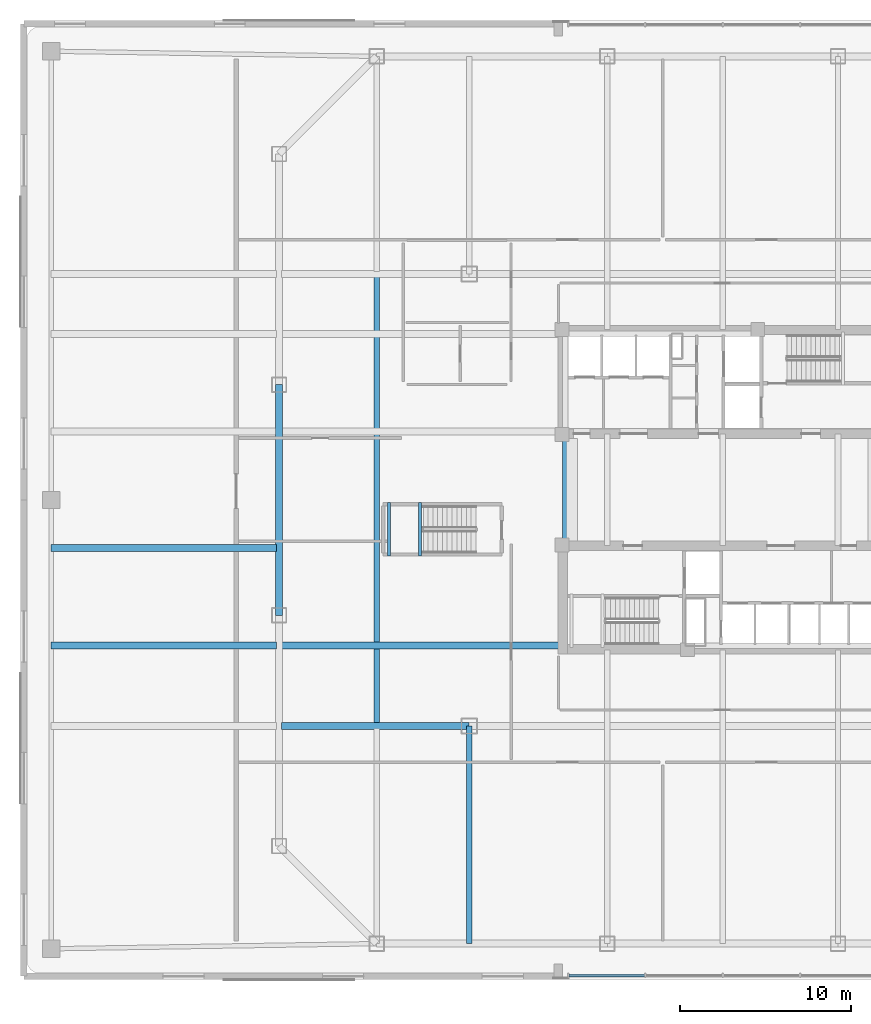
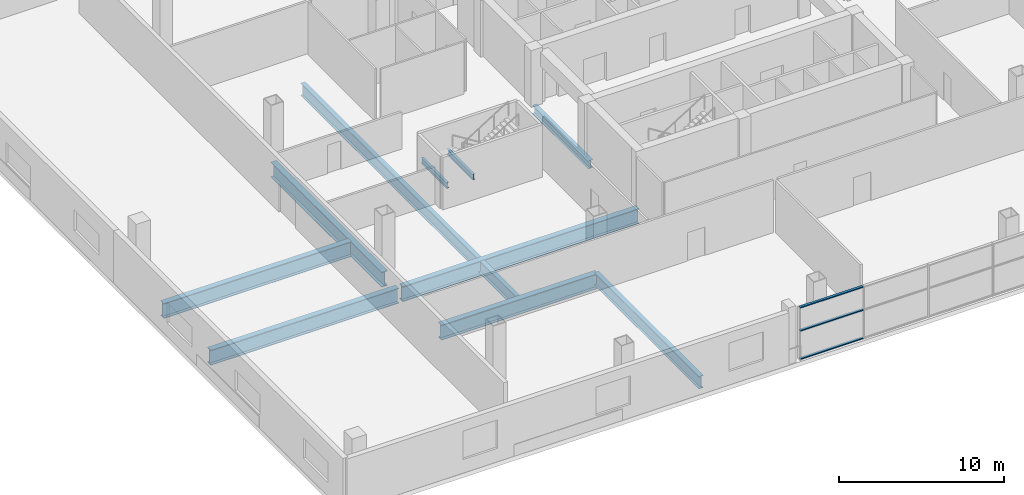
# One storey, part 3 of 21: 10 beams, 3 members, 1 element without a shape of its own.
"""IFC4 building model written with IfcOpenShell, lengths in metres."""

from ifc_helpers import new_model, si_unit, direction, frame, origin, origin_2d, place, context, subcontext, project, spatial, hollow_rectangle, i_section, extrude, material, layer, layer_set, material_profile, profile_set, type_object, element, aggregate, save


model = new_model("IFC4")

# Units and contexts
model_context = context("Model", 3, precision=1e-05, world=origin(), true_north=direction((0.0, 1.0)))
body_context = subcontext(model_context, "Body", "Model", "MODEL_VIEW")
ifc_project = project(units=[si_unit("LENGTHUNIT", "METRE"), si_unit("AREAUNIT", "SQUARE_METRE"), si_unit("VOLUMEUNIT", "CUBIC_METRE"), si_unit("PLANEANGLEUNIT", "RADIAN"), si_unit("MASSUNIT", "GRAM", prefix="KILO")], contexts=[model_context])

# Site, building, storey
site_placement = place(None, origin())
site = spatial("IfcSite", under=ifc_project, at=site_placement, CompositionType="ELEMENT")
building_placement = place(site_placement, origin())
building = spatial("IfcBuilding", under=site, at=building_placement, Name="Qhalaya Broadcast Tower", CompositionType="ELEMENT")
storey_placement = place(building_placement, frame((0.0, 0.0, 5.10009765625)))
storey = spatial("IfcBuildingStorey", under=building, at=storey_placement, Name="L01", CompositionType="ELEMENT", Elevation=5.10009765625)

# Beams
ifc_material_1 = material(Name="Structural Steel ASTM A992 Grade 50", Category="steel")
ifc_material_profile_1 = material_profile(ifc_material_1, i_section(OverallWidth=0.323974609375, OverallDepth=0.612060546875, WebThickness=0.0126953125, FlangeThickness=0.01904296875, at=origin_2d()), Name="W24X104")
ifc_profile_set_1 = profile_set([ifc_material_profile_1], Name="Structural Steel ASTM A992 Grade 50")
beam_type_1 = type_object("IfcBeamType", Name="Core Frame Tie Beam B04", PredefinedType="BEAM", material=ifc_profile_set_1)
beam_1_placement = place(storey_placement, frame((-9.199951171875, -2.800048828125, -0.6259765625), z_axis=(0.0, 1.0, 0.0), x_axis=(-1.0, 0.0, 0.0)))
element("IfcBeam", 1, at=beam_1_placement, inside=storey, type_object=beam_type_1, Name="L01 B04 L01-CCW", PredefinedType="BEAM", context=body_context, shape_type="SweptSolid", body=[
    extrude(i_section(OverallWidth=0.323974609375, OverallDepth=0.612060546875, WebThickness=0.0126953125, FlangeThickness=0.01904296875, at=origin_2d()), origin(), (0.0, 0.0, 1.0), 6.800048828125),
])
ifc_material_profile_2 = material_profile(ifc_material_1, i_section(OverallWidth=0.306884765625, OverallDepth=0.927001953125, WebThickness=0.019287109375, FlangeThickness=0.031982421875, at=origin_2d()), Name="W36X194")
ifc_profile_set_2 = profile_set([ifc_material_profile_2], Name="Structural Steel ASTM A992 Grade 50")
beam_type_2 = type_object("IfcBeamType", Name="Heavy Studio Floor Beam B01", PredefinedType="BEAM", material=ifc_profile_set_2)
beam_2_placement = place(storey_placement, frame((-20.199951171875, -13.06005859375, -0.78369140625), z_axis=(0.0, 1.0, 0.0), x_axis=(-1.0, 0.0, 0.0)))
element("IfcBeam", 2, at=beam_2_placement, inside=storey, type_object=beam_type_2, Name="L01 B01 L01-JS-M-20.2", PredefinedType="BEAM", context=body_context, shape_type="SweptSolid", body=[
    extrude(i_section(OverallWidth=0.306884765625, OverallDepth=0.927001953125, WebThickness=0.019287109375, FlangeThickness=0.031982421875, at=origin_2d()), origin(), (0.0, 0.0, 1.0), 26.1201171875),
])
beam_3_placement = place(storey_placement, frame((-14.800048828125, -25.89990234375, -0.78369140625), z_axis=(0.0, 1.0, 0.0), x_axis=(-1.0, 0.0, 0.0)))
element("IfcBeam", 3, at=beam_3_placement, inside=storey, type_object=beam_type_2, Name="L01 B01 L01-JS-S-14.8", PredefinedType="BEAM", context=body_context, shape_type="SweptSolid", body=[
    extrude(i_section(OverallWidth=0.306884765625, OverallDepth=0.927001953125, WebThickness=0.019287109375, FlangeThickness=0.031982421875, at=origin_2d()), origin(), (0.0, 0.0, 1.0), 12.699951171875),
])
ifc_material_profile_3 = material_profile(ifc_material_1, i_section(OverallWidth=0.404052734375, OverallDepth=1.117919921875, WebThickness=0.026123046875, FlangeThickness=0.044921875, at=origin_2d()), Name="W44X335")
ifc_profile_set_3 = profile_set([ifc_material_profile_3], Name="Structural Steel ASTM A992 Grade 50")
beam_type_3 = type_object("IfcBeamType", Name="Podium Long-Span Primary Girder PG1", PredefinedType="USERDEFINED", material=ifc_profile_set_3)
beam_4_placement = place(storey_placement, frame((-25.89990234375, 6.7333984375, -0.879150390625), z_axis=(0.0, -1.0, 0.0), x_axis=(1.0, 0.0, 0.0)))
element("IfcBeam", 4, at=beam_4_placement, inside=storey, type_object=beam_type_3, Name="L01 PG1 L01-PG-R14", ObjectType="GIRDER", PredefinedType="USERDEFINED", context=body_context, shape_type="SweptSolid", body=[
    extrude(i_section(OverallWidth=0.404052734375, OverallDepth=1.117919921875, WebThickness=0.026123046875, FlangeThickness=0.044921875, at=origin_2d()), origin(), (0.0, 0.0, 1.0), 13.466796875),
])
beam_5_placement = place(storey_placement, frame((-25.760009765625, -13.199951171875, -0.879150390625), z_axis=(1.0, 0.0, 0.0), x_axis=(0.0, 1.0, 0.0)))
element("IfcBeam", 5, at=beam_5_placement, inside=storey, type_object=beam_type_3, Name="L01 PG1 L01-PG-GS2", ObjectType="GIRDER", PredefinedType="USERDEFINED", context=body_context, shape_type="SweptSolid", body=[
    extrude(i_section(OverallWidth=0.404052734375, OverallDepth=1.117919921875, WebThickness=0.026123046875, FlangeThickness=0.044921875, at=origin_2d()), origin(), (0.0, 0.0, 1.0), 10.9599609375),
])
beam_6_placement = place(storey_placement, frame((-39.199951171875, -8.5, -0.879150390625), z_axis=(1.0, 0.0, 0.0), x_axis=(0.0, 1.0, 0.0)))
element("IfcBeam", 6, at=beam_6_placement, inside=storey, type_object=beam_type_3, Name="L01 PG1 L01-PG-W1A", ObjectType="GIRDER", PredefinedType="USERDEFINED", context=body_context, shape_type="SweptSolid", body=[
    extrude(i_section(OverallWidth=0.404052734375, OverallDepth=1.117919921875, WebThickness=0.026123046875, FlangeThickness=0.044921875, at=origin_2d()), origin(), (0.0, 0.0, 1.0), 13.159912109375),
])
beam_7_placement = place(storey_placement, frame((-25.760009765625, -8.5, -0.879150390625), z_axis=(1.0, 0.0, 0.0), x_axis=(0.0, 1.0, 0.0)))
element("IfcBeam", 7, at=beam_7_placement, inside=storey, type_object=beam_type_3, Name="L01 PG1 L01-PG-W1B", ObjectType="GIRDER", PredefinedType="USERDEFINED", context=body_context, shape_type="SweptSolid", body=[
    extrude(i_section(OverallWidth=0.404052734375, OverallDepth=1.117919921875, WebThickness=0.026123046875, FlangeThickness=0.044921875, at=origin_2d()), origin(), (0.0, 0.0, 1.0), 16.56005859375),
])
beam_8_placement = place(storey_placement, frame((-39.199951171875, -2.800048828125, -0.879150390625), z_axis=(1.0, 0.0, 0.0), x_axis=(0.0, 1.0, 0.0)))
element("IfcBeam", 8, at=beam_8_placement, inside=storey, type_object=beam_type_3, Name="L01 PG1 L01-PG-W2A", ObjectType="GIRDER", PredefinedType="USERDEFINED", context=body_context, shape_type="SweptSolid", body=[
    extrude(i_section(OverallWidth=0.404052734375, OverallDepth=1.117919921875, WebThickness=0.026123046875, FlangeThickness=0.044921875, at=origin_2d()), origin(), (0.0, 0.0, 1.0), 13.159912109375),
])

# Curtain wall, members
ifc_material_2 = material(Name="Solar-Control Low-E Triple Glazing", Category="glass")
ifc_layer = layer(ifc_material_2, 0.219970703125, Name="Solar-Control Low-E Triple Glazing")
ifc_layer_set = layer_set([ifc_layer], Name="Solar-Control Low-E Triple Glazing")
curtain_wall_type = type_object("IfcCurtainWallType", Name="Podium Concourse Triple-Height Glazed Portal CW-01", PredefinedType="NOTDEFINED", material=ifc_layer_set)
curtain_wall_placement = place(storey_placement, origin())
curtain_wall = element("IfcCurtainWall", 9, at=curtain_wall_placement, inside=storey, type_object=curtain_wall_type, Name="L01 Unitised Curtain Wall L01-CW01-S", PredefinedType="NOTDEFINED")
ifc_material_3 = material(Name="Anodised Aluminium 6063-T6", Category="aluminium")
ifc_material_profile_4 = material_profile(ifc_material_3, hollow_rectangle(XDim=0.074951171875, YDim=0.179931640625, WallThickness=0.00390625, at=origin_2d()), Name="ALU-TRN 75x180x4")
ifc_profile_set_4 = profile_set([ifc_material_profile_4], Name="Anodised Aluminium 6063-T6")
member_type = type_object("IfcMemberType", Name="Unitised Curtain-Wall Transom T01", PredefinedType="USERDEFINED", material=ifc_profile_set_4)
member_1_placement = place(storey_placement, frame((-8.97509765625, -27.75, 0.037353515625), z_axis=(1.0, 0.0, 0.0), x_axis=(0.0, 0.0, 1.0)))
member_1 = element("IfcMember", 10, at=member_1_placement, type_object=member_type, Name="CW-01 transom 1.1", ObjectType="TRANSOM", PredefinedType="USERDEFINED", context=body_context, shape_type="SweptSolid", body=[
    extrude(hollow_rectangle(XDim=0.074951171875, YDim=0.179931640625, WallThickness=0.00390625, at=origin_2d()), origin(), (0.0, 0.0, 1.0), 4.41259765625),
])
member_2_placement = place(storey_placement, frame((-8.97509765625, -27.75, 2.1337890625), z_axis=(1.0, 0.0, 0.0), x_axis=(0.0, 0.0, 1.0)))
member_2 = element("IfcMember", 11, at=member_2_placement, type_object=member_type, Name="CW-01 transom 1.2", ObjectType="TRANSOM", PredefinedType="USERDEFINED", context=body_context, shape_type="SweptSolid", body=[
    extrude(hollow_rectangle(XDim=0.074951171875, YDim=0.179931640625, WallThickness=0.00390625, at=origin_2d()), origin(), (0.0, 0.0, 1.0), 4.41259765625),
])
member_3_placement = place(storey_placement, frame((-8.97509765625, -27.75, 3.84228515625), z_axis=(1.0, 0.0, 0.0), x_axis=(0.0, 0.0, 1.0)))
member_3 = element("IfcMember", 12, at=member_3_placement, type_object=member_type, Name="CW-01 transom 1.3", ObjectType="TRANSOM", PredefinedType="USERDEFINED", context=body_context, shape_type="SweptSolid", body=[
    extrude(hollow_rectangle(XDim=0.074951171875, YDim=0.179931640625, WallThickness=0.00390625, at=origin_2d()), origin(), (0.0, 0.0, 1.0), 4.41259765625),
])
aggregate(curtain_wall, [member_1, member_2, member_3])

# Beams
ifc_material_profile_5 = material_profile(ifc_material_1, i_section(OverallWidth=0.177978515625, OverallDepth=0.406005859375, WebThickness=0.0078125, FlangeThickness=0.0126953125, at=origin_2d()), Name="W16X40")
ifc_profile_set_5 = profile_set([ifc_material_profile_5], Name="Structural Steel ASTM A992 Grade 50")
beam_type_4 = type_object("IfcBeamType", Name="Upper Perimeter Spandrel Beam SP2", PredefinedType="SPANDREL", material=ifc_profile_set_5)
for number, where, z_axis, x_axis, name in (
    (13, (-19.47998046875, -3.280029296875, 1.697021484375), (0.0, 1.0, 0.0), (-1.0, 0.0, 0.0), "L01 ST-P1 Half-Landing Bearer Beam 1"),
    (14, (-17.6650390625, -3.280029296875, 1.697021484375), (0.0, 1.0, 0.0), (-1.0, 0.0, 0.0), "L01 ST-P1 Half-Landing Bearer Beam 2"),
):
    element("IfcBeam", number, at=place(storey_placement, frame(where, z_axis=z_axis, x_axis=x_axis)), inside=storey, type_object=beam_type_4, Name=name, PredefinedType="SPANDREL", context=body_context, shape_type="SweptSolid", body=[
        extrude(i_section(OverallWidth=0.177978515625, OverallDepth=0.406005859375, WebThickness=0.0078125, FlangeThickness=0.0126953125, at=origin_2d()), origin(), (0.0, 0.0, 1.0), 3.1201171875),
    ])

save(model, "model.ifc")
